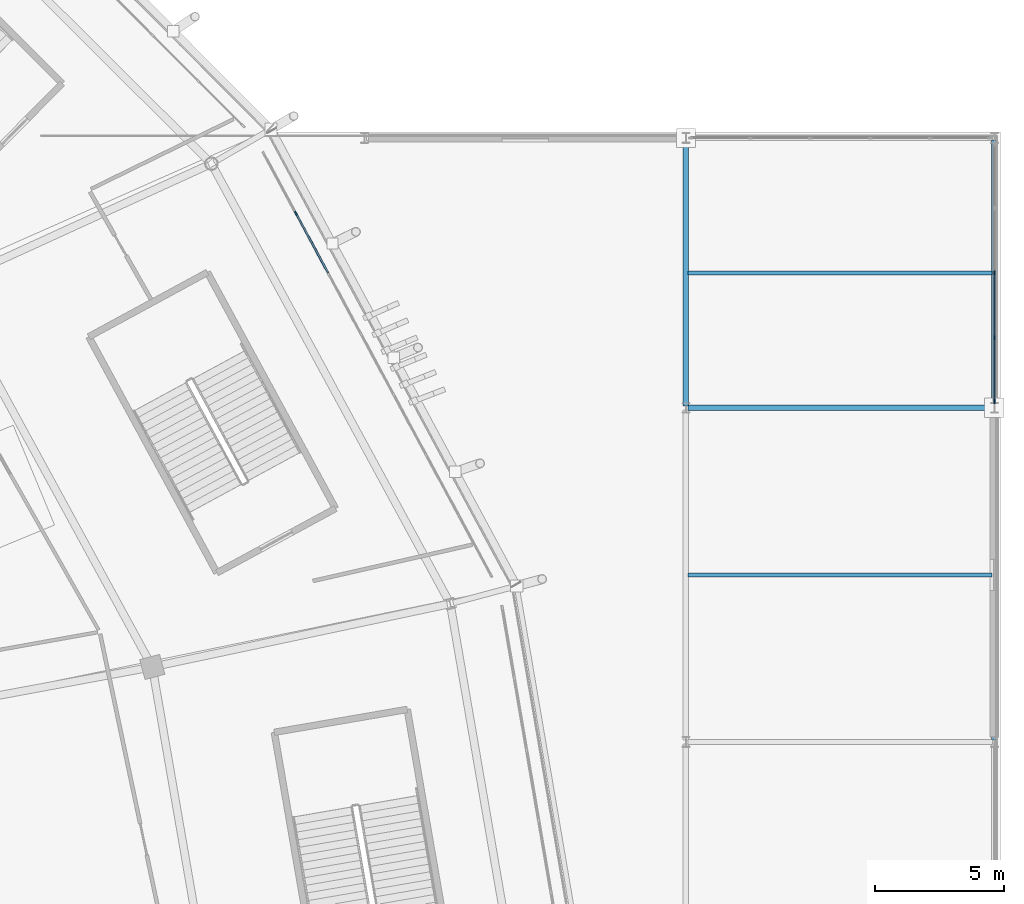
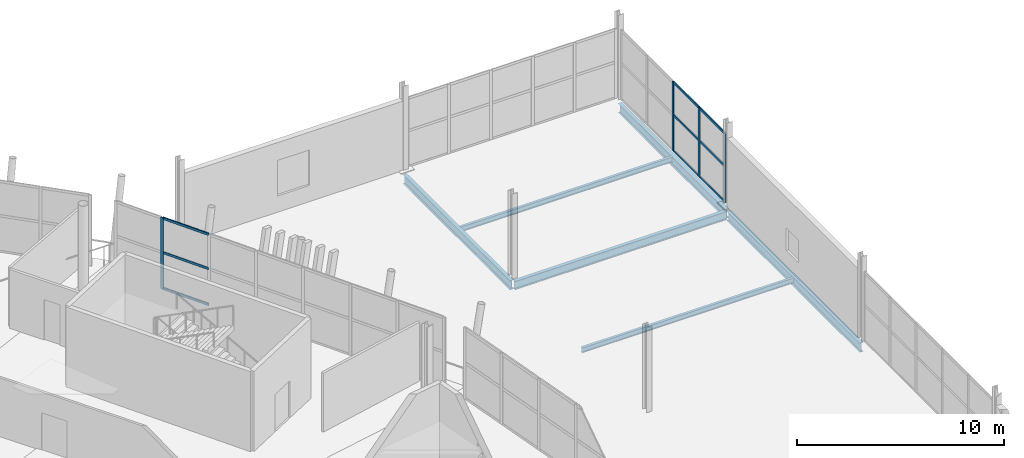
# One storey, part 68 of 179: 13 members, 6 beams, 2 elements without a shape of their own.
"""IFC4 building model written with IfcOpenShell, lengths in metres."""

from ifc_helpers import new_model, si_unit, direction, frame, origin, origin_2d, place, context, subcontext, project, spatial, rectangle, i_section, extrude, material, material_profile, profile_set, type_object, element, aggregate, save


model = new_model("IFC4")

# Units and contexts
model_context = context("Model", 3, precision=1e-05, world=origin(), true_north=direction((0.0, 1.0)))
body_context = subcontext(model_context, "Body", "Model", "MODEL_VIEW")
ifc_project = project(units=[si_unit("LENGTHUNIT", "METRE"), si_unit("AREAUNIT", "SQUARE_METRE"), si_unit("VOLUMEUNIT", "CUBIC_METRE"), si_unit("PLANEANGLEUNIT", "RADIAN"), si_unit("MASSUNIT", "GRAM", prefix="KILO")], contexts=[model_context])

# Site, building, storey
site_placement = place(None, origin())
site = spatial("IfcSite", under=ifc_project, at=site_placement, CompositionType="ELEMENT")
building_placement = place(site_placement, origin())
building = spatial("IfcBuilding", under=site, at=building_placement, Name="Zlatoyarsky Gate Stadium", CompositionType="ELEMENT")
storey_placement = place(building_placement, frame((0.0, 0.0, 10.60009765625)))
storey = spatial("IfcBuildingStorey", under=building, at=storey_placement, Name="L02", CompositionType="ELEMENT", Elevation=10.60009765625)

# Curtain wall, member
ifc_material_1 = material(Name="Thermally broken anodised aluminium curtain wall", Category="aluminium")
curtain_wall_type_1 = type_object("IfcCurtainWallType", Name="UNITISED HOSPITALITY GLAZING L02", PredefinedType="USERDEFINED", material=ifc_material_1)
curtain_wall_1_placement = place(storey_placement, origin())
curtain_wall_1 = element("IfcCurtainWall", 1, at=curtain_wall_1_placement, inside=storey, type_object=curtain_wall_type_1, Name="Curtain wall CW-L02-01", ObjectType="UNITISED GLAZING", PredefinedType="USERDEFINED")
ifc_material_2 = material(Name="Anodised aluminium 6063-T6", Category="aluminium")
ifc_material_profile_1 = material_profile(ifc_material_2, rectangle(XDim=0.06494140625, YDim=0.159912109375, at=origin_2d()), Name="ALU 65X160")
ifc_profile_set_1 = profile_set([ifc_material_profile_1], Name="Anodised aluminium 6063-T6")
member_type_1 = type_object("IfcMemberType", Name="ALUMINIUM MULLION 65X160", PredefinedType="MULLION", material=ifc_profile_set_1)
member_1_placement = place(storey_placement, frame((194.8271484375, 113.56494140625, 0.0), z_axis=(0.0, 0.0, 1.0), x_axis=(-0.880235853856, -0.474536449165, 0.0)))
member_1 = element("IfcMember", 2, at=member_1_placement, type_object=member_type_1, Name="CW-UG2 mullion 7", PredefinedType="MULLION", context=body_context, shape_type="SweptSolid", body=[
    extrude(rectangle(XDim=0.06494140625, YDim=0.159912109375, at=origin_2d()), origin(), (0.0, 0.0, 1.0), 4.199951171875),
])

# Curtain wall, members
curtain_wall_type_2 = type_object("IfcCurtainWallType", Name="WINTER GARDEN CONSERVATORY GLAZING", PredefinedType="USERDEFINED", material=ifc_material_1)
curtain_wall_2_placement = place(storey_placement, origin())
curtain_wall_2 = element("IfcCurtainWall", 3, at=curtain_wall_2_placement, inside=storey, type_object=curtain_wall_type_2, Name="Curtain wall CW-V5_EAST-L02-185", ObjectType="UNITISED GLAZING", PredefinedType="USERDEFINED")
member_2_placement = place(storey_placement, frame((222.0, 106.244384765625, 0.0), z_axis=(0.0, 0.0, 1.0), x_axis=(-1.0, 0.0, 0.0)))
member_2 = element("IfcMember", 4, at=member_2_placement, type_object=member_type_1, Name="CW-WG1 mullion 1", PredefinedType="MULLION", context=body_context, shape_type="SweptSolid", body=[
    extrude(rectangle(XDim=0.06494140625, YDim=0.159912109375, at=origin_2d()), origin(), (0.0, 0.0, 1.0), 4.099853515625),
])
member_3_placement = place(storey_placement, frame((222.0, 108.73095703125, 0.0), z_axis=(0.0, 0.0, 1.0), x_axis=(-1.0, 0.0, 0.0)))
member_3 = element("IfcMember", 5, at=member_3_placement, type_object=member_type_1, Name="CW-WG1 mullion 2", PredefinedType="MULLION", context=body_context, shape_type="SweptSolid", body=[
    extrude(rectangle(XDim=0.06494140625, YDim=0.159912109375, at=origin_2d()), origin(), (0.0, 0.0, 1.0), 4.099853515625),
])
member_4_placement = place(storey_placement, frame((222.0, 111.25, 0.0), z_axis=(0.0, 0.0, 1.0), x_axis=(-1.0, 0.0, 0.0)))
member_4 = element("IfcMember", 6, at=member_4_placement, type_object=member_type_1, Name="CW-WG1 mullion 3", PredefinedType="MULLION", context=body_context, shape_type="SweptSolid", body=[
    extrude(rectangle(XDim=0.06494140625, YDim=0.159912109375, at=origin_2d()), origin(), (0.0, 0.0, 1.0), 4.099853515625),
])

# Member
ifc_material_profile_2 = material_profile(ifc_material_2, rectangle(XDim=0.06494140625, YDim=0.139892578125, at=origin_2d()), Name="ALU 65X140")
ifc_profile_set_2 = profile_set([ifc_material_profile_2], Name="Anodised aluminium 6063-T6")
member_type_2 = type_object("IfcMemberType", Name="ALUMINIUM TRANSOM 65X140", PredefinedType="USERDEFINED", material=ifc_profile_set_2)
member_5_placement = place(storey_placement, frame((196.0791015625, 111.24267578125, 0.032470703125), z_axis=(-0.47451326859, 0.880248350145, 0.0), x_axis=(-0.880248350145, -0.47451326859, 0.0)))
member_5 = element("IfcMember", 7, at=member_5_placement, type_object=member_type_2, Name="CW-UG2 transom 6.1", ObjectType="TRANSOM", PredefinedType="USERDEFINED", context=body_context, shape_type="SweptSolid", body=[
    extrude(rectangle(XDim=0.06494140625, YDim=0.139892578125, at=origin_2d()), origin(), (0.0, 0.0, 1.0), 2.60546875),
])

member_6_placement = place(storey_placement, frame((196.0791015625, 111.24267578125, 2.14990234375), z_axis=(-0.47451326859, 0.880248350145, 0.0), x_axis=(-0.880248350145, -0.47451326859, 0.0)))
member_6 = element("IfcMember", 8, at=member_6_placement, type_object=member_type_2, Name="CW-UG2 transom 6.2", ObjectType="TRANSOM", PredefinedType="USERDEFINED", context=body_context, shape_type="SweptSolid", body=[
    extrude(rectangle(XDim=0.06494140625, YDim=0.139892578125, at=origin_2d()), origin(), (0.0, 0.0, 1.0), 2.60546875),
])

member_7_placement = place(storey_placement, frame((196.0791015625, 111.24267578125, 4.16748046875), z_axis=(-0.47451326859, 0.880248350145, 0.0), x_axis=(-0.880248350145, -0.47451326859, 0.0)))
member_7 = element("IfcMember", 9, at=member_7_placement, type_object=member_type_2, Name="CW-UG2 transom 6.3", ObjectType="TRANSOM", PredefinedType="USERDEFINED", context=body_context, shape_type="SweptSolid", body=[
    extrude(rectangle(XDim=0.06494140625, YDim=0.139892578125, at=origin_2d()), origin(), (0.0, 0.0, 1.0), 2.60546875),
])

aggregate(curtain_wall_1, [member_1, member_5, member_6, member_7])

member_8_placement = place(storey_placement, frame((222.0, 106.277099609375, 0.032470703125), z_axis=(0.0, 1.0, 0.0), x_axis=(-1.0, 0.0, 0.0)))
member_8 = element("IfcMember", 10, at=member_8_placement, type_object=member_type_2, Name="CW-WG1 transom 1.1", ObjectType="TRANSOM", PredefinedType="USERDEFINED", context=body_context, shape_type="SweptSolid", body=[
    extrude(rectangle(XDim=0.06494140625, YDim=0.139892578125, at=origin_2d()), origin(), (0.0, 0.0, 1.0), 2.42138671875),
])

member_9_placement = place(storey_placement, frame((222.0, 106.277099609375, 2.14990234375), z_axis=(0.0, 1.0, 0.0), x_axis=(-1.0, 0.0, 0.0)))
member_9 = element("IfcMember", 11, at=member_9_placement, type_object=member_type_2, Name="CW-WG1 transom 1.2", ObjectType="TRANSOM", PredefinedType="USERDEFINED", context=body_context, shape_type="SweptSolid", body=[
    extrude(rectangle(XDim=0.06494140625, YDim=0.139892578125, at=origin_2d()), origin(), (0.0, 0.0, 1.0), 2.42138671875),
])

member_10_placement = place(storey_placement, frame((222.0, 106.277099609375, 4.0673828125), z_axis=(0.0, 1.0, 0.0), x_axis=(-1.0, 0.0, 0.0)))
member_10 = element("IfcMember", 12, at=member_10_placement, type_object=member_type_2, Name="CW-WG1 transom 1.3", ObjectType="TRANSOM", PredefinedType="USERDEFINED", context=body_context, shape_type="SweptSolid", body=[
    extrude(rectangle(XDim=0.06494140625, YDim=0.139892578125, at=origin_2d()), origin(), (0.0, 0.0, 1.0), 2.42138671875),
])

member_11_placement = place(storey_placement, frame((222.0, 108.763427734375, 0.032470703125), z_axis=(0.0, 1.0, 0.0), x_axis=(-1.0, 0.0, 0.0)))
member_11 = element("IfcMember", 13, at=member_11_placement, type_object=member_type_2, Name="CW-WG1 transom 2.1", ObjectType="TRANSOM", PredefinedType="USERDEFINED", context=body_context, shape_type="SweptSolid", body=[
    extrude(rectangle(XDim=0.06494140625, YDim=0.139892578125, at=origin_2d()), origin(), (0.0, 0.0, 1.0), 2.4541015625),
])

member_12_placement = place(storey_placement, frame((222.0, 108.763427734375, 2.14990234375), z_axis=(0.0, 1.0, 0.0), x_axis=(-1.0, 0.0, 0.0)))
member_12 = element("IfcMember", 14, at=member_12_placement, type_object=member_type_2, Name="CW-WG1 transom 2.2", ObjectType="TRANSOM", PredefinedType="USERDEFINED", context=body_context, shape_type="SweptSolid", body=[
    extrude(rectangle(XDim=0.06494140625, YDim=0.139892578125, at=origin_2d()), origin(), (0.0, 0.0, 1.0), 2.4541015625),
])

member_13_placement = place(storey_placement, frame((222.0, 108.763427734375, 4.0673828125), z_axis=(0.0, 1.0, 0.0), x_axis=(-1.0, 0.0, 0.0)))
member_13 = element("IfcMember", 15, at=member_13_placement, type_object=member_type_2, Name="CW-WG1 transom 2.3", ObjectType="TRANSOM", PredefinedType="USERDEFINED", context=body_context, shape_type="SweptSolid", body=[
    extrude(rectangle(XDim=0.06494140625, YDim=0.139892578125, at=origin_2d()), origin(), (0.0, 0.0, 1.0), 2.4541015625),
])

aggregate(curtain_wall_2, [member_2, member_3, member_4, member_8, member_9, member_10, member_11, member_12, member_13])

# Beams
ifc_material_3 = material(Name="Steel S355", Category="steel")
ifc_material_profile_3 = material_profile(ifc_material_3, i_section(OverallWidth=0.199951171875, OverallDepth=0.5, WebThickness=0.01025390625, FlangeThickness=0.01611328125, FilletRadius=0.02099609375, at=origin_2d()), Name="IPE 500")
ifc_profile_set_3 = profile_set([ifc_material_profile_3], Name="Steel S355")
beam_type_1 = type_object("IfcBeamType", Name="STEEL FLOOR BEAM IPE 500", PredefinedType="BEAM", material=ifc_profile_set_3)
beam_1_placement = place(storey_placement, frame((210.080078125, 106.0, -0.530029296875), z_axis=(1.0, 0.0, 0.0), x_axis=(0.0, 1.0, 0.0)))
element("IfcBeam", 16, at=beam_1_placement, inside=storey, type_object=beam_type_1, Name="Beam B-IPE500 BM-L02-WGX-18-K", PredefinedType="BEAM", context=body_context, shape_type="SweptSolid", body=[
    extrude(i_section(OverallWidth=0.199951171875, OverallDepth=0.5, WebThickness=0.01025390625, FlangeThickness=0.01611328125, FilletRadius=0.02099609375, at=origin_2d()), origin(), (0.0, 0.0, 1.0), 11.83984375),
])
ifc_material_profile_4 = material_profile(ifc_material_3, i_section(OverallWidth=0.2099609375, OverallDepth=0.550048828125, WebThickness=0.010986328125, FlangeThickness=0.01708984375, FilletRadius=0.02392578125, at=origin_2d()), Name="IPE 550")
ifc_profile_set_4 = profile_set([ifc_material_profile_4], Name="Steel S355")
beam_type_2 = type_object("IfcBeamType", Name="STEEL FLOOR BEAM IPE 550", PredefinedType="BEAM", material=ifc_profile_set_4)
beam_2_placement = place(storey_placement, frame((210.0, 106.080078125, -0.55517578125), z_axis=(0.0, 1.0, 0.0), x_axis=(-1.0, 0.0, 0.0)))
element("IfcBeam", 17, at=beam_2_placement, inside=storey, type_object=beam_type_2, Name="Beam B-IPE550 BM-L02-WGY-18-K", PredefinedType="BEAM", context=body_context, shape_type="SweptSolid", body=[
    extrude(i_section(OverallWidth=0.2099609375, OverallDepth=0.550048828125, WebThickness=0.010986328125, FlangeThickness=0.01708984375, FilletRadius=0.02392578125, at=origin_2d()), origin(), (0.0, 0.0, 1.0), 10.33984375),
])
beam_3_placement = place(storey_placement, frame((222.0, 93.080078125, -0.55517578125), z_axis=(0.0, 1.0, 0.0), x_axis=(-1.0, 0.0, 0.0)))
element("IfcBeam", 18, at=beam_3_placement, inside=storey, type_object=beam_type_2, Name="Beam B-IPE550 BM-L02-WGY-19-J", PredefinedType="BEAM", context=body_context, shape_type="SweptSolid", body=[
    extrude(i_section(OverallWidth=0.2099609375, OverallDepth=0.550048828125, WebThickness=0.010986328125, FlangeThickness=0.01708984375, FilletRadius=0.02392578125, at=origin_2d()), origin(), (0.0, 0.0, 1.0), 12.83984375),
])
beam_4_placement = place(storey_placement, frame((222.0, 106.080078125, -0.55517578125), z_axis=(0.0, 1.0, 0.0), x_axis=(-1.0, 0.0, 0.0)))
element("IfcBeam", 19, at=beam_4_placement, inside=storey, type_object=beam_type_2, Name="Beam B-IPE550 BM-L02-WGY-19-K", PredefinedType="BEAM", context=body_context, shape_type="SweptSolid", body=[
    extrude(i_section(OverallWidth=0.2099609375, OverallDepth=0.550048828125, WebThickness=0.010986328125, FlangeThickness=0.01708984375, FilletRadius=0.02392578125, at=origin_2d()), origin(), (0.0, 0.0, 1.0), 10.33984375),
])
ifc_material_profile_5 = material_profile(ifc_material_3, i_section(OverallWidth=0.14990234375, OverallDepth=0.300048828125, WebThickness=0.007080078125, FlangeThickness=0.0107421875, FilletRadius=0.014892578125, at=origin_2d()), Name="IPE 300")
ifc_profile_set_5 = profile_set([ifc_material_profile_5], Name="Steel S355")
beam_type_3 = type_object("IfcBeamType", Name="STEEL SECONDARY JOIST IPE 300", PredefinedType="JOIST", material=ifc_profile_set_5)
for number, where, z_axis, x_axis, name in (
    (20, (210.090087890625, 99.5, -0.43017578125), (1.0, 0.0, 0.0), (0.0, 1.0, 0.0), "Beam J-IPE300 JST-L02-18-J"),
    (21, (210.090087890625, 111.25, -0.43017578125), (1.0, 0.0, 0.0), (0.0, 1.0, 0.0), "Beam J-IPE300 JST-L02-18-K"),
):
    element("IfcBeam", number, at=place(storey_placement, frame(where, z_axis=z_axis, x_axis=x_axis)), inside=storey, type_object=beam_type_3, Name=name, PredefinedType="JOIST", context=body_context, shape_type="SweptSolid", body=[
        extrude(i_section(OverallWidth=0.14990234375, OverallDepth=0.300048828125, WebThickness=0.007080078125, FlangeThickness=0.0107421875, FilletRadius=0.014892578125, at=origin_2d()), origin(), (0.0, 0.0, 1.0), 11.81982421875),
    ])

save(model, "model.ifc")
